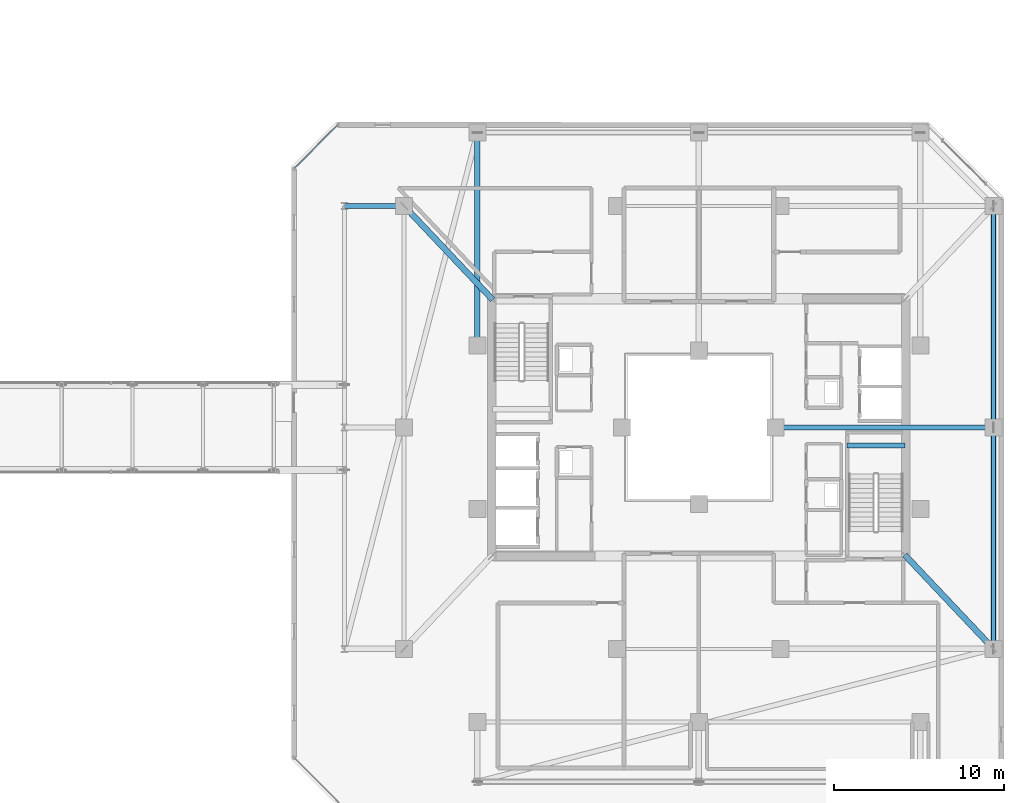
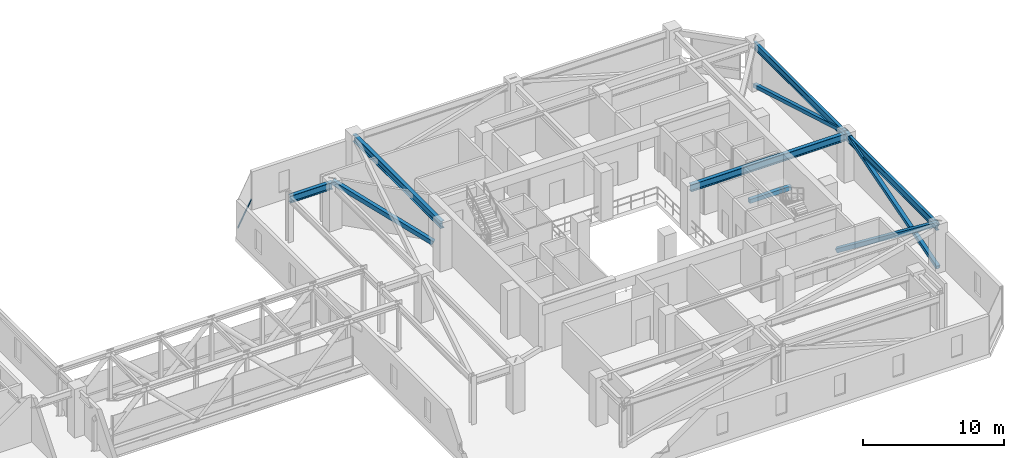
# One storey, part 23 of 42: 6 beams, 5 members, 1 element without a shape of its own.
"""IFC4 building model written with IfcOpenShell, lengths in metres."""

from ifc_helpers import new_model, si_unit, direction, frame, origin, origin_2d, place, context, subcontext, project, spatial, rectangle, hollow_rectangle, i_section, extrude, material, material_profile, profile_set, type_object, element, aggregate, save


model = new_model("IFC4")

# Units and contexts
model_context = context("Model", 3, precision=1e-05, world=origin(), true_north=direction((0.0, 1.0)))
body_context = subcontext(model_context, "Body", "Model", "MODEL_VIEW")
ifc_project = project(units=[si_unit("LENGTHUNIT", "METRE"), si_unit("AREAUNIT", "SQUARE_METRE"), si_unit("VOLUMEUNIT", "CUBIC_METRE"), si_unit("PLANEANGLEUNIT", "RADIAN"), si_unit("MASSUNIT", "GRAM", prefix="KILO")], contexts=[model_context])

# Site, building, storey
site_placement = place(None, origin())
site = spatial("IfcSite", under=ifc_project, at=site_placement, CompositionType="ELEMENT")
building_placement = place(site_placement, origin())
building = spatial("IfcBuilding", under=site, at=building_placement, Name="Thornwick Lancets Civic Towers", CompositionType="ELEMENT")
storey_placement = place(building_placement, frame((0.0, 0.0, 221.699951171875)))
storey = spatial("IfcBuildingStorey", under=building, at=storey_placement, Name="L59", CompositionType="ELEMENT", Elevation=221.699951171875)

# Beams
ifc_material_1 = material(Name="Steel S355JR", Category="steel")
ifc_material_profile_1 = material_profile(ifc_material_1, i_section(OverallWidth=0.230224609375, OverallDepth=0.6171875, WebThickness=0.01318359375, FlangeThickness=0.022216796875, FilletRadius=0.0126953125, at=origin_2d()), Name="UKB 610x229x140")
ifc_profile_set_1 = profile_set([ifc_material_profile_1], Name="Steel S355JR")
beam_type_1 = type_object("IfcBeamType", Name="BM_GIRD_610_140", PredefinedType="BEAM", material=ifc_profile_set_1)
beam_1_placement = place(storey_placement, frame((105.800048828125, 14.0, 3.6513671875), z_axis=(0.0, 1.0, 0.0), x_axis=(-1.0, 0.0, 0.0)))
element("IfcBeam", 1, at=beam_1_placement, inside=storey, type_object=beam_type_1, Name="BM-SPINE-L59-B-0-1", PredefinedType="BEAM", context=body_context, shape_type="SweptSolid", body=[
    extrude(i_section(OverallWidth=0.230224609375, OverallDepth=0.6171875, WebThickness=0.01318359375, FlangeThickness=0.022216796875, FilletRadius=0.0126953125, at=origin_2d()), origin(), (0.0, 0.0, 1.0), 13.0),
])
beam_2_placement = place(storey_placement, frame((105.800048828125, 27.080078125, 3.6513671875), z_axis=(0.0, 1.0, 0.0), x_axis=(-1.0, 0.0, 0.0)))
element("IfcBeam", 2, at=beam_2_placement, inside=storey, type_object=beam_type_1, Name="BM-SPINE-L59-B-1-2", PredefinedType="BEAM", context=body_context, shape_type="SweptSolid", body=[
    extrude(i_section(OverallWidth=0.230224609375, OverallDepth=0.6171875, WebThickness=0.01318359375, FlangeThickness=0.022216796875, FilletRadius=0.0126953125, at=origin_2d()), origin(), (0.0, 0.0, 1.0), 12.919921875),
])
ifc_material_profile_2 = material_profile(ifc_material_1, i_section(OverallWidth=0.30712890625, OverallDepth=0.6201171875, WebThickness=0.01416015625, FlangeThickness=0.023681640625, FilletRadius=0.0166015625, at=origin_2d()), Name="UKB 610x305x179")
ifc_profile_set_2 = profile_set([ifc_material_profile_2], Name="Steel S355JR")
beam_type_2 = type_object("IfcBeamType", Name="BM_GIRD_610_179", PredefinedType="BEAM", material=ifc_profile_set_2)
beam_3_placement = place(storey_placement, frame((93.0, 27.0, 3.64990234375), z_axis=(1.0, 0.0, 0.0), x_axis=(0.0, 1.0, 0.0)))
element("IfcBeam", 3, at=beam_3_placement, inside=storey, type_object=beam_type_2, Name="BM-RADIN-L59-B02", PredefinedType="BEAM", context=body_context, shape_type="SweptSolid", body=[
    extrude(i_section(OverallWidth=0.30712890625, OverallDepth=0.6201171875, WebThickness=0.01416015625, FlangeThickness=0.023681640625, FilletRadius=0.0166015625, at=origin_2d()), origin(), (0.0, 0.0, 1.0), 12.800048828125),
])
beam_4_placement = place(storey_placement, frame((75.5, 31.800048828125, 3.64990234375), z_axis=(0.0, 1.0, 0.0), x_axis=(-1.0, 0.0, 0.0)))
element("IfcBeam", 4, at=beam_4_placement, inside=storey, type_object=beam_type_2, Name="BM-RADIN-L59-B06", PredefinedType="BEAM", context=body_context, shape_type="SweptSolid", body=[
    extrude(i_section(OverallWidth=0.30712890625, OverallDepth=0.6201171875, WebThickness=0.01416015625, FlangeThickness=0.023681640625, FilletRadius=0.0166015625, at=origin_2d()), origin(), (0.0, 0.0, 1.0), 12.5),
])
beam_5_placement = place(storey_placement, frame((71.199951171875, 40.0, 3.64990234375), z_axis=(-1.0, 0.0, 0.0), x_axis=(0.0, -1.0, 0.0)))
element("IfcBeam", 5, at=beam_5_placement, inside=storey, type_object=beam_type_2, Name="BM-RAD-L59-B09", PredefinedType="BEAM", context=body_context, shape_type="SweptSolid", body=[
    extrude(i_section(OverallWidth=0.30712890625, OverallDepth=0.6201171875, WebThickness=0.01416015625, FlangeThickness=0.023681640625, FilletRadius=0.0166015625, at=origin_2d()), origin(), (0.0, 0.0, 1.0), 3.5),
])
ifc_material_2 = material(Name="Concrete C40/50", Category="concrete")
ifc_material_profile_3 = material_profile(ifc_material_2, rectangle(XDim=0.300048828125, YDim=0.35009765625, at=origin_2d()), Name="RC 300x350")
ifc_profile_set_3 = profile_set([ifc_material_profile_3], Name="Concrete C40/50")
beam_type_3 = type_object("IfcBeamType", Name="BM_STAIR_LDG", PredefinedType="BEAM", material=ifc_profile_set_3)
beam_6_placement = place(storey_placement, frame((100.60009765625, 25.93505859375, 1.677978515625), z_axis=(-1.0, 0.0, 0.0), x_axis=(0.0, -1.0, 0.0)))
element("IfcBeam", 6, at=beam_6_placement, inside=storey, type_object=beam_type_3, Name="L59 ST-B1 Landing Support Beam 1", PredefinedType="BEAM", context=body_context, shape_type="SweptSolid", body=[
    extrude(rectangle(XDim=0.300048828125, YDim=0.35009765625, at=origin_2d()), origin(), (0.0, 0.0, 1.0), 3.400146484375),
])

# Curtain wall, member
ifc_material_3 = material(Name="High-zone chamfered-corner unitised glass curtain wall", Category="glass")
curtain_wall_type = type_object("IfcCurtainWallType", Name="CW_SYS_05", PredefinedType="NOTDEFINED", material=ifc_material_3)
curtain_wall_placement = place(storey_placement, origin())
curtain_wall = element("IfcCurtainWall", 7, at=curtain_wall_placement, inside=storey, type_object=curtain_wall_type, Name="L59 Curtain Wall CW-L59-B-E5", PredefinedType="NOTDEFINED")
ifc_material_4 = material(Name="Thermally broken bronze aluminium S355", Category="steel")
ifc_material_profile_4 = material_profile(ifc_material_4, hollow_rectangle(XDim=0.074951171875, YDim=0.14990234375, WallThickness=0.0048828125, at=origin_2d()), Name="RHS 150x75x5")
ifc_profile_set_4 = profile_set([ifc_material_profile_4], Name="Thermally broken bronze aluminium S355")
member_type_1 = type_object("IfcMemberType", Name="CW_TRN_150", PredefinedType="USERDEFINED", material=ifc_profile_set_4)
member_placement = place(storey_placement, frame((67.304443359375, 44.75048828125, 0.85009765625), z_axis=(-0.707106781187, -0.707106781187, 0.0), x_axis=(0.707106781187, -0.707106781187, 0.0)))
member = element("IfcMember", 8, at=member_placement, type_object=member_type_1, Name="CW-L59-B-E5 Transom 0", ObjectType="TRANSOM", PredefinedType="USERDEFINED", context=body_context, shape_type="SweptSolid", body=[
    extrude(hollow_rectangle(XDim=0.074951171875, YDim=0.14990234375, WallThickness=0.0048828125, at=origin_2d()), origin(), (0.0, 0.0, 1.0), 3.61328125),
])
aggregate(curtain_wall, [member])

# Members
ifc_material_5 = material(Name="Steel S460M", Category="steel")
ifc_material_profile_5 = material_profile(ifc_material_5, hollow_rectangle(XDim=0.300048828125, YDim=0.300048828125, WallThickness=0.01611328125, at=origin_2d()), Name="SHS 300x300x16")
ifc_profile_set_5 = profile_set([ifc_material_profile_5], Name="Steel S460M")
member_type_2 = type_object("IfcMemberType", Name="MEM_BELT_SHS300", PredefinedType="BRACE", material=ifc_profile_set_5)
for number, where, z_axis, x_axis, name in (
    (9, (105.800048828125, 14.0, 0.150146484375), (0.0, 0.959639110761, 0.281234381074), (-1.0, 0.0, 0.0), "L59 Belt Truss Diagonal B-S0-1"),
    (10, (105.800048828125, 40.0, 0.150146484375), (0.0, -0.959639110761, 0.281234381074), (1.0, 0.0, 0.0), "L59 Belt Truss Diagonal B-S0-2"),
):
    element("IfcMember", number, at=place(storey_placement, frame(where, z_axis=z_axis, x_axis=x_axis)), inside=storey, type_object=member_type_2, Name=name, PredefinedType="BRACE", context=body_context, shape_type="SweptSolid", body=[
        extrude(hollow_rectangle(XDim=0.300048828125, YDim=0.300048828125, WallThickness=0.01611328125, at=origin_2d()), origin(), (0.0, 0.0, 1.0), 13.546875),
    ])
ifc_material_profile_6 = material_profile(ifc_material_5, hollow_rectangle(XDim=0.35009765625, YDim=0.35009765625, WallThickness=0.01611328125, at=origin_2d()), Name="SHS 350x350x16")
ifc_profile_set_6 = profile_set([ifc_material_profile_6], Name="Steel S460M")
member_type_3 = type_object("IfcMemberType", Name="MEM_OUTRIG_SHS350", PredefinedType="BRACE", material=ifc_profile_set_6)
for number, where, z_axis, x_axis, name in (
    (11, (100.64990234375, 19.449951171875, 0.150146484375), (0.612329269887, -0.647974699772, 0.452969815434), (0.726815378038, 0.686832880872, 0.0), "L59 Outrigger Brace B-1"),
    (12, (76.35009765625, 34.550048828125, 0.150146484375), (-0.612329269887, 0.647974699772, 0.452969815434), (-0.726815378038, -0.686832880872, 0.0), "L59 Outrigger Brace B-4"),
):
    element("IfcMember", number, at=place(storey_placement, frame(where, z_axis=z_axis, x_axis=x_axis)), inside=storey, type_object=member_type_3, Name=name, PredefinedType="BRACE", context=body_context, shape_type="SweptSolid", body=[
        extrude(hollow_rectangle(XDim=0.35009765625, YDim=0.35009765625, WallThickness=0.01611328125, at=origin_2d()), origin(), (0.0, 0.0, 1.0), 8.41064453125),
    ])

save(model, "model.ifc")
